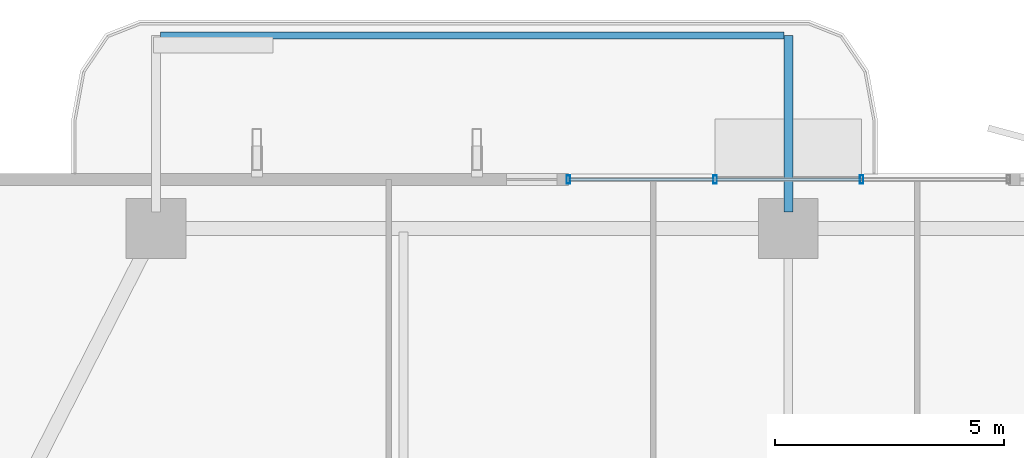
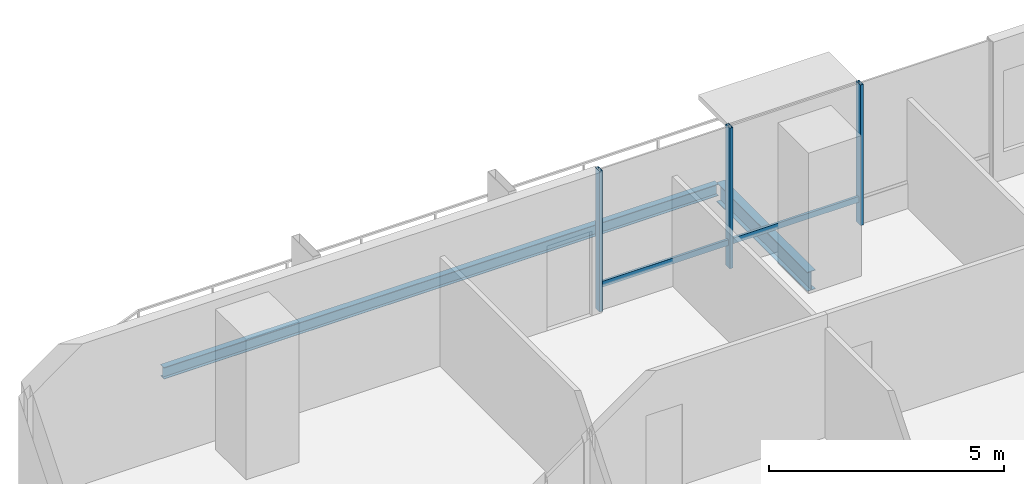
# One storey, part 11 of 24: 5 members, 2 beams, 1 element without a shape of its own.
"""IFC4 building model written with IfcOpenShell, lengths in metres."""

from ifc_helpers import new_model, si_unit, direction, frame, origin, origin_2d, place, context, subcontext, project, spatial, hollow_rectangle, i_section, extrude, material, layer, layer_set, material_profile, profile_set, type_object, element, aggregate, save


model = new_model("IFC4")

# Units and contexts
model_context = context("Model", 3, precision=1e-05, world=origin(), true_north=direction((0.0, 1.0)))
body_context = subcontext(model_context, "Body", "Model", "MODEL_VIEW")
ifc_project = project(units=[si_unit("LENGTHUNIT", "METRE"), si_unit("AREAUNIT", "SQUARE_METRE"), si_unit("VOLUMEUNIT", "CUBIC_METRE"), si_unit("PLANEANGLEUNIT", "RADIAN"), si_unit("MASSUNIT", "GRAM", prefix="KILO")], contexts=[model_context])

# Site, building, storey
site_placement = place(None, origin())
site = spatial("IfcSite", under=ifc_project, at=site_placement, CompositionType="ELEMENT")
building_placement = place(site_placement, origin())
building = spatial("IfcBuilding", under=site, at=building_placement, Name="Belovzor Exchange Tower", CompositionType="ELEMENT")
storey_placement = place(building_placement, frame((0.0, 0.0, 129.0)))
storey = spatial("IfcBuildingStorey", under=building, at=storey_placement, Name="L31", CompositionType="ELEMENT", Elevation=129.0)

# Beams
ifc_material_1 = material(Name="Steel S355", Category="steel")
ifc_material_profile_1 = material_profile(ifc_material_1, i_section(OverallWidth=0.199951171875, OverallDepth=0.5, WebThickness=0.01025390625, FlangeThickness=0.01611328125, at=origin_2d()))
ifc_profile_set_1 = profile_set([ifc_material_profile_1], Name="Steel S355")
beam_type_1 = type_object("IfcBeamType", Name="Planted Balcony Cantilever Beam IPE 500", PredefinedType="BEAM", material=ifc_profile_set_1)
beam_1_placement = place(storey_placement, frame((28.800048828125, 54.05810546875, -0.5), z_axis=(0.0, 1.0, 0.0), x_axis=(-1.0, 0.0, 0.0)))
element("IfcBeam", 1, at=beam_1_placement, inside=storey, type_object=beam_type_1, Name="BC-500 Planted Balcony Cantilever Beam IPE 500", PredefinedType="BEAM", context=body_context, shape_type="SweptSolid", body=[
    extrude(i_section(OverallWidth=0.199951171875, OverallDepth=0.5, WebThickness=0.01025390625, FlangeThickness=0.01611328125, at=origin_2d()), origin(), (0.0, 0.0, 1.0), 3.849853515625),
])
ifc_material_2 = material(Name="Steel S355", Category="steel")
ifc_material_profile_2 = material_profile(ifc_material_2, i_section(OverallWidth=0.14990234375, OverallDepth=0.300048828125, WebThickness=0.007080078125, FlangeThickness=0.0107421875, at=origin_2d()))
ifc_profile_set_2 = profile_set([ifc_material_profile_2], Name="Steel S355")
beam_type_2 = type_object("IfcBeamType", Name="Planted Balcony Fascia Edge Beam IPE 300", PredefinedType="BEAM", material=ifc_profile_set_2)
beam_2_placement = place(storey_placement, frame((28.699951171875, 57.907958984375, -0.39990234375), z_axis=(-1.0, 0.0, 0.0), x_axis=(0.0, -1.0, 0.0)))
element("IfcBeam", 2, at=beam_2_placement, inside=storey, type_object=beam_type_2, Name="BC-300 Planted Balcony Fascia Edge Beam IPE 300", PredefinedType="BEAM", context=body_context, shape_type="SweptSolid", body=[
    extrude(i_section(OverallWidth=0.14990234375, OverallDepth=0.300048828125, WebThickness=0.007080078125, FlangeThickness=0.0107421875, at=origin_2d()), origin(), (0.0, 0.0, 1.0), 13.599853515625),
])

# Curtain wall, members
ifc_material_3 = material(Name="Anodised Aluminium Framing", Category="aluminium")
ifc_layer = layer(ifc_material_3, 0.179931640625)
ifc_layer_set = layer_set([ifc_layer], Name="Anodised Aluminium Framing")
curtain_wall_type = type_object("IfcCurtainWallType", Name="Recessed Loggia Low-Iron Triple-Glazed Curtain Wall", PredefinedType="NOTDEFINED", material=ifc_layer_set)
curtain_wall_placement = place(storey_placement, origin())
curtain_wall = element("IfcCurtainWall", 3, at=curtain_wall_placement, inside=storey, type_object=curtain_wall_type, Name="CW3 Recessed Loggia Low-Iron Triple-Glazed Curtain Wall L31", PredefinedType="NOTDEFINED")
ifc_material_4 = material(Name="Steel S355", Category="steel")
ifc_material_profile_3 = material_profile(ifc_material_4, hollow_rectangle(XDim=0.074951171875, YDim=0.179931640625, WallThickness=0.0048828125, at=origin_2d()))
ifc_profile_set_3 = profile_set([ifc_material_profile_3], Name="Steel S355")
member_type_1 = type_object("IfcMemberType", Name="Thermally Broken Curtain Wall Mullion 180x75", PredefinedType="MULLION", material=ifc_profile_set_3)
member_1_placement = place(storey_placement, frame((24.0, 54.77001953125, 0.0), z_axis=(0.0, 0.0, 1.0), x_axis=(1.0, 0.0, 0.0)))
member_1 = element("IfcMember", 4, at=member_1_placement, type_object=member_type_1, Name="CW-M180 Curtain Wall Mullion 1", PredefinedType="MULLION", context=body_context, shape_type="SweptSolid", body=[
    extrude(hollow_rectangle(XDim=0.074951171875, YDim=0.179931640625, WallThickness=0.0048828125, at=origin_2d()), origin(), (0.0, 0.0, 1.0), 3.64990234375),
])
member_2_placement = place(storey_placement, frame((27.199951171875, 54.77001953125, 0.0), z_axis=(0.0, 0.0, 1.0), x_axis=(1.0, 0.0, 0.0)))
member_2 = element("IfcMember", 5, at=member_2_placement, type_object=member_type_1, Name="CW-M180 Curtain Wall Mullion 2", PredefinedType="MULLION", context=body_context, shape_type="SweptSolid", body=[
    extrude(hollow_rectangle(XDim=0.074951171875, YDim=0.179931640625, WallThickness=0.0048828125, at=origin_2d()), origin(), (0.0, 0.0, 1.0), 3.64990234375),
])
member_3_placement = place(storey_placement, frame((30.39990234375, 54.77001953125, 0.0), z_axis=(0.0, 0.0, 1.0), x_axis=(1.0, 0.0, 0.0)))
member_3 = element("IfcMember", 6, at=member_3_placement, type_object=member_type_1, Name="CW-M180 Curtain Wall Mullion 3", PredefinedType="MULLION", context=body_context, shape_type="SweptSolid", body=[
    extrude(hollow_rectangle(XDim=0.074951171875, YDim=0.179931640625, WallThickness=0.0048828125, at=origin_2d()), origin(), (0.0, 0.0, 1.0), 3.64990234375),
])
ifc_material_5 = material(Name="Steel S355", Category="steel")
ifc_material_profile_4 = material_profile(ifc_material_5, hollow_rectangle(XDim=0.06005859375, YDim=0.14990234375, WallThickness=0.00390625, at=origin_2d()))
ifc_profile_set_4 = profile_set([ifc_material_profile_4], Name="Steel S355")
member_type_2 = type_object("IfcMemberType", Name="Thermally Broken Curtain Wall Transom 150x60", PredefinedType="USERDEFINED", material=ifc_profile_set_4)
member_4_placement = place(storey_placement, frame((24.008056640625, 54.77001953125, 0.64990234375), z_axis=(1.0, 0.0, 0.0), x_axis=(0.0, 1.0, 0.0)))
member_4 = element("IfcMember", 7, at=member_4_placement, type_object=member_type_2, Name="CW-T150 Curtain Wall Transom 1", ObjectType="TRANSOM", PredefinedType="USERDEFINED", context=body_context, shape_type="SweptSolid", body=[
    extrude(hollow_rectangle(XDim=0.06005859375, YDim=0.14990234375, WallThickness=0.00390625, at=origin_2d()), origin(), (0.0, 0.0, 1.0), 3.183837890625),
])
member_5_placement = place(storey_placement, frame((27.2080078125, 54.77001953125, 0.64990234375), z_axis=(1.0, 0.0, 0.0), x_axis=(0.0, 1.0, 0.0)))
member_5 = element("IfcMember", 8, at=member_5_placement, type_object=member_type_2, Name="CW-T150 Curtain Wall Transom 2", ObjectType="TRANSOM", PredefinedType="USERDEFINED", context=body_context, shape_type="SweptSolid", body=[
    extrude(hollow_rectangle(XDim=0.06005859375, YDim=0.14990234375, WallThickness=0.00390625, at=origin_2d()), origin(), (0.0, 0.0, 1.0), 3.18408203125),
])
aggregate(curtain_wall, [member_1, member_2, member_3, member_4, member_5])

save(model, "model.ifc")
